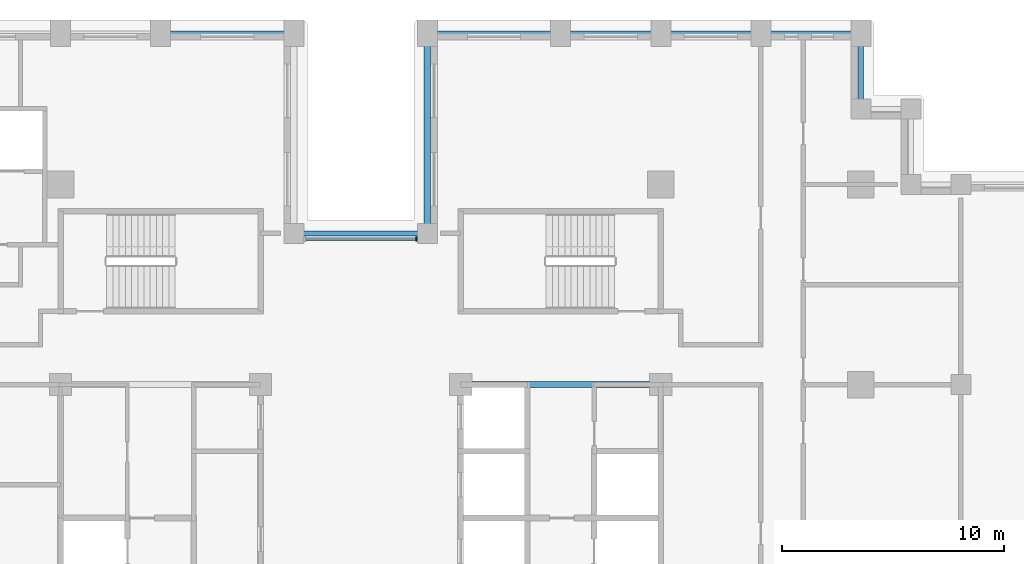
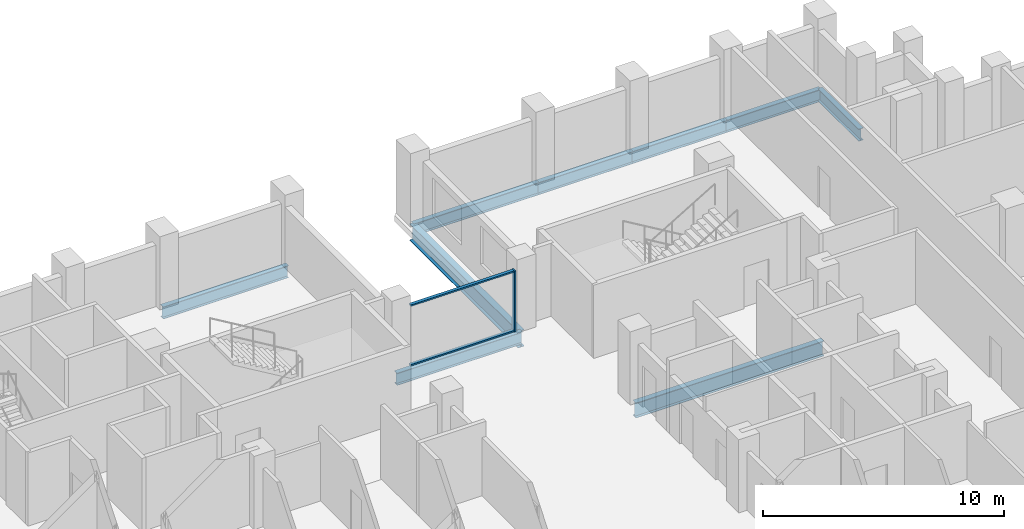
# One storey, part 4 of 15: 9 beams, 3 members, 1 element without a shape of its own.
"""IFC4 building model written with IfcOpenShell, lengths in metres."""

from ifc_helpers import new_model, si_unit, direction, frame, origin, origin_2d, place, context, subcontext, project, spatial, rectangle, i_section, extrude, material, layer, layer_set, material_profile, profile_set, type_object, element, aggregate, save


model = new_model("IFC4")

# Units and contexts
model_context = context("Model", 3, precision=1e-05, world=origin(), true_north=direction((0.0, 1.0)))
body_context = subcontext(model_context, "Body", "Model", "MODEL_VIEW")
ifc_project = project(units=[si_unit("LENGTHUNIT", "METRE"), si_unit("AREAUNIT", "SQUARE_METRE"), si_unit("VOLUMEUNIT", "CUBIC_METRE"), si_unit("PLANEANGLEUNIT", "RADIAN"), si_unit("MASSUNIT", "GRAM", prefix="KILO")], contexts=[model_context])

# Site, building, storey
site_placement = place(None, origin())
site = spatial("IfcSite", under=ifc_project, at=site_placement, CompositionType="ELEMENT")
building_placement = place(site_placement, origin())
building = spatial("IfcBuilding", under=site, at=building_placement, Name="Corbelhall Arena Tower", CompositionType="ELEMENT")
storey_placement = place(building_placement, frame((0.0, 0.0, 96.0)))
storey = spatial("IfcBuildingStorey", under=building, at=storey_placement, Name="L16", CompositionType="ELEMENT", Elevation=96.0)

# Curtain wall, members
ifc_material_1 = material(Name="Aluminium black anodised", Category="aluminium")
ifc_layer = layer(ifc_material_1, 0.199951171875)
ifc_layer_set = layer_set([ifc_layer], Name="EV-CW1 Slot back wall")
curtain_wall_type = type_object("IfcCurtainWallType", Name="EV-CW1 Slot back wall", PredefinedType="NOTDEFINED", material=ifc_layer_set)
curtain_wall_placement = place(storey_placement, origin())
curtain_wall = element("IfcCurtainWall", 1, at=curtain_wall_placement, inside=storey, type_object=curtain_wall_type, Name="Curtain wall CW1", PredefinedType="NOTDEFINED")
ifc_material_profile_1 = material_profile(ifc_material_1, rectangle(XDim=0.199951171875, YDim=0.074951171875, at=origin_2d()))
ifc_profile_set_1 = profile_set([ifc_material_profile_1], Name="Aluminium black anodised")
member_type_1 = type_object("IfcMemberType", Name="EV-CW1-MULLION", PredefinedType="MULLION", material=ifc_profile_set_1)
member_1_placement = place(storey_placement, frame((2.512451171875, 15.550048828125, 0.0), z_axis=(0.0, 0.0, 1.0), x_axis=(0.0, -1.0, 0.0)))
member_1 = element("IfcMember", 2, at=member_1_placement, type_object=member_type_1, Name="CW1 mullion 1", PredefinedType="MULLION", context=body_context, shape_type="SweptSolid", body=[
    extrude(rectangle(XDim=0.199951171875, YDim=0.074951171875, at=origin_2d()), origin(), (0.0, 0.0, 1.0), 3.10009765625),
])
ifc_material_profile_2 = material_profile(ifc_material_1, rectangle(XDim=0.14990234375, YDim=0.074951171875, at=origin_2d()))
ifc_profile_set_2 = profile_set([ifc_material_profile_2], Name="Aluminium black anodised")
member_type_2 = type_object("IfcMemberType", Name="EV-CW1-TRANSOM", PredefinedType="USERDEFINED", material=ifc_profile_set_2)
member_2_placement = place(storey_placement, frame((2.47509765625, 15.550048828125, 0.03759765625), z_axis=(-1.0, 0.0, 0.0), x_axis=(0.0, -1.0, 0.0)))
member_2 = element("IfcMember", 3, at=member_2_placement, type_object=member_type_2, Name="CW1 transom 1.1", ObjectType="transom", PredefinedType="USERDEFINED", context=body_context, shape_type="SweptSolid", body=[
    extrude(rectangle(XDim=0.14990234375, YDim=0.074951171875, at=origin_2d()), origin(), (0.0, 0.0, 1.0), 4.9501953125),
])
member_3_placement = place(storey_placement, frame((2.47509765625, 15.550048828125, 3.0625), z_axis=(-1.0, 0.0, 0.0), x_axis=(0.0, -1.0, 0.0)))
member_3 = element("IfcMember", 4, at=member_3_placement, type_object=member_type_2, Name="CW1 transom 1.2", ObjectType="transom", PredefinedType="USERDEFINED", context=body_context, shape_type="SweptSolid", body=[
    extrude(rectangle(XDim=0.14990234375, YDim=0.074951171875, at=origin_2d()), origin(), (0.0, 0.0, 1.0), 4.9501953125),
])
aggregate(curtain_wall, [member_1, member_2, member_3])

# Beams
ifc_material_2 = material(Name="Steel ASTM A992 Gr50", Category="steel")
ifc_material_profile_3 = material_profile(ifc_material_2, i_section(OverallWidth=0.2666015625, OverallDepth=0.761962890625, WebThickness=0.014404296875, FlangeThickness=0.021484375, at=origin_2d()))
ifc_profile_set_3 = profile_set([ifc_material_profile_3], Name="Steel ASTM A992 Gr50")
beam_type_1 = type_object("IfcBeamType", Name="ST-BEAM-W30x116", PredefinedType="BEAM", material=ifc_profile_set_3)
beam_1_placement = place(storey_placement, frame((4.5, 9.0, -0.680908203125), z_axis=(1.0, 0.0, 0.0), x_axis=(0.0, 1.0, 0.0)))
element("IfcBeam", 5, at=beam_1_placement, inside=storey, type_object=beam_type_1, Name="Beam CEE 12", PredefinedType="BEAM", context=body_context, shape_type="SweptSolid", body=[
    extrude(i_section(OverallWidth=0.2666015625, OverallDepth=0.761962890625, WebThickness=0.014404296875, FlangeThickness=0.021484375, at=origin_2d()), origin(), (0.0, 0.0, 1.0), 9.0),
])
ifc_material_profile_4 = material_profile(ifc_material_2, i_section(OverallWidth=0.23046875, OverallDepth=0.6171875, WebThickness=0.01318359375, FlangeThickness=0.022216796875, at=origin_2d()))
ifc_profile_set_4 = profile_set([ifc_material_profile_4], Name="Steel ASTM A992 Gr50")
beam_type_2 = type_object("IfcBeamType", Name="ST-SPANDREL-W24x94", PredefinedType="SPANDREL", material=ifc_profile_set_4)
beam_2_placement = place(storey_placement, frame((3.0, 24.800048828125, -0.608642578125), z_axis=(1.0, 0.0, 0.0), x_axis=(0.0, 1.0, 0.0)))
element("IfcBeam", 6, at=beam_2_placement, inside=storey, type_object=beam_type_2, Name="Beam SP 17", PredefinedType="SPANDREL", context=body_context, shape_type="SweptSolid", body=[
    extrude(i_section(OverallWidth=0.23046875, OverallDepth=0.6171875, WebThickness=0.01318359375, FlangeThickness=0.022216796875, at=origin_2d()), origin(), (0.0, 0.0, 1.0), 6.0),
])
for number, where, z_axis, x_axis, name in (
    (7, (9.0, 24.800048828125, -0.608642578125), (1.0, 0.0, 0.0), (0.0, 1.0, 0.0), "Beam SP 18"),
    (8, (13.5, 24.800048828125, -0.608642578125), (1.0, 0.0, 0.0), (0.0, 1.0, 0.0), "Beam SP 19"),
    (9, (18.0, 24.800048828125, -0.608642578125), (1.0, 0.0, 0.0), (0.0, 1.0, 0.0), "Beam SP 20"),
):
    element("IfcBeam", number, at=place(storey_placement, frame(where, z_axis=z_axis, x_axis=x_axis)), inside=storey, type_object=beam_type_2, Name=name, PredefinedType="SPANDREL", context=body_context, shape_type="SweptSolid", body=[
        extrude(i_section(OverallWidth=0.23046875, OverallDepth=0.6171875, WebThickness=0.01318359375, FlangeThickness=0.022216796875, at=origin_2d()), origin(), (0.0, 0.0, 1.0), 4.5),
    ])
beam_3_placement = place(storey_placement, frame((22.5, 24.800048828125, -0.608642578125), z_axis=(0.0, -1.0, 0.0), x_axis=(1.0, 0.0, 0.0)))
element("IfcBeam", 10, at=beam_3_placement, inside=storey, type_object=beam_type_2, Name="Beam SP 21", PredefinedType="SPANDREL", context=body_context, shape_type="SweptSolid", body=[
    extrude(i_section(OverallWidth=0.23046875, OverallDepth=0.6171875, WebThickness=0.01318359375, FlangeThickness=0.022216796875, at=origin_2d()), origin(), (0.0, 0.0, 1.0), 3.400146484375),
])
for number, where, z_axis, x_axis, name in (
    (11, (-9.0, 24.800048828125, -0.608642578125), (1.0, 0.0, 0.0), (0.0, 1.0, 0.0), "Beam SP 23"),
    (12, (-3.0, 15.800048828125, -0.608642578125), (1.0, 0.0, 0.0), (0.0, 1.0, 0.0), "Beam SP 40"),
):
    element("IfcBeam", number, at=place(storey_placement, frame(where, z_axis=z_axis, x_axis=x_axis)), inside=storey, type_object=beam_type_2, Name=name, PredefinedType="SPANDREL", context=body_context, shape_type="SweptSolid", body=[
        extrude(i_section(OverallWidth=0.23046875, OverallDepth=0.6171875, WebThickness=0.01318359375, FlangeThickness=0.022216796875, at=origin_2d()), origin(), (0.0, 0.0, 1.0), 6.0),
    ])
ifc_material_profile_5 = material_profile(ifc_material_2, i_section(OverallWidth=0.2919921875, OverallDepth=0.845703125, WebThickness=0.015380859375, FlangeThickness=0.0244140625, at=origin_2d()))
ifc_profile_set_5 = profile_set([ifc_material_profile_5], Name="Steel ASTM A992 Gr50")
beam_type_3 = type_object("IfcBeamType", Name="ST-SPANDREL-W33x141", PredefinedType="SPANDREL", material=ifc_profile_set_5)
beam_4_placement = place(storey_placement, frame((3.0, 15.800048828125, -0.722900390625), z_axis=(0.0, 1.0, 0.0), x_axis=(-1.0, 0.0, 0.0)))
element("IfcBeam", 13, at=beam_4_placement, inside=storey, type_object=beam_type_3, Name="Beam SP 39", PredefinedType="SPANDREL", context=body_context, shape_type="SweptSolid", body=[
    extrude(i_section(OverallWidth=0.2919921875, OverallDepth=0.845703125, WebThickness=0.015380859375, FlangeThickness=0.0244140625, at=origin_2d()), origin(), (0.0, 0.0, 1.0), 9.0),
])

save(model, "model.ifc")
